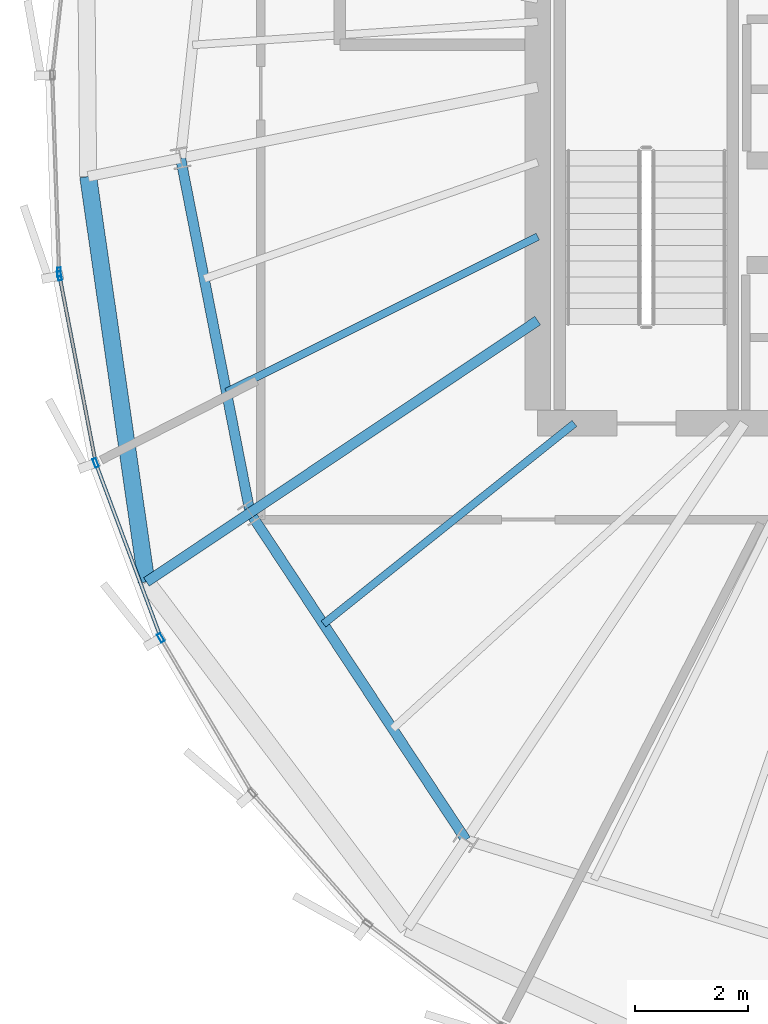
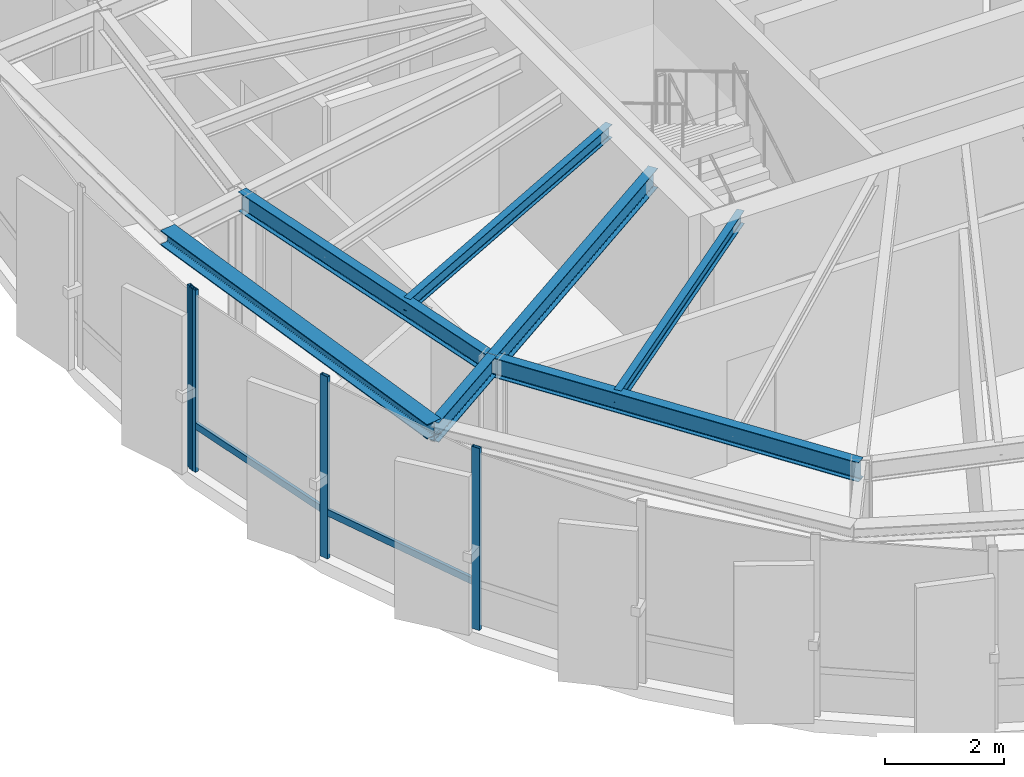
# One storey, part 4 of 26: 7 beams, 6 members, 2 elements without a shape of their own.
"""IFC4 building model written with IfcOpenShell, lengths in metres."""

from ifc_helpers import new_model, si_unit, direction, frame, origin, origin_2d, place, context, subcontext, project, spatial, hollow_rectangle, i_section, extrude, source, transform, mapped, material, layer, layer_set, material_profile, profile_set, type_object, element, aggregate, save


model = new_model("IFC4")

# Units and contexts
model_context = context("Model", 3, precision=1e-05, world=origin(), true_north=direction((0.0, 1.0)))
body_context = subcontext(model_context, "Body", "Model", "MODEL_VIEW")
ifc_project = project(units=[si_unit("LENGTHUNIT", "METRE"), si_unit("AREAUNIT", "SQUARE_METRE"), si_unit("VOLUMEUNIT", "CUBIC_METRE"), si_unit("PLANEANGLEUNIT", "RADIAN"), si_unit("MASSUNIT", "GRAM", prefix="KILO"), si_unit("THERMODYNAMICTEMPERATUREUNIT", "KELVIN")], contexts=[model_context])

# Site, building, storey
site_placement = place(None, origin())
site = spatial("IfcSite", under=ifc_project, at=site_placement, CompositionType="ELEMENT")
building_placement = place(site_placement, origin())
building = spatial("IfcBuilding", under=site, at=building_placement, Name="Kethvar Cultural Tower", CompositionType="ELEMENT")
storey_placement = place(building_placement, frame((0.0, 0.0, 320.300048828125)))
storey = spatial("IfcBuildingStorey", under=building, at=storey_placement, Name="L85", CompositionType="ELEMENT", Elevation=320.300048828125)

# Beams
ifc_material_1 = material(Name="Steel S355J2", Category="steel")
ifc_material_profile_1 = material_profile(ifc_material_1, i_section(OverallWidth=0.135009765625, OverallDepth=0.27001953125, WebThickness=0.006591796875, FlangeThickness=0.01025390625, FilletRadius=0.014892578125, at=origin_2d()), Name="Steel S355J2 — IPE270")
ifc_profile_set_1 = profile_set([ifc_material_profile_1], Name="Steel S355J2 — IPE270")
beam_type_1 = type_object("IfcBeamType", Name="BM-J270", PredefinedType="JOIST", material=ifc_profile_set_1)
shared_shape_1 = source(origin(), body_context, "Body", "SweptSolid", [
    extrude(i_section(OverallWidth=0.135009765625, OverallDepth=0.27001953125, WebThickness=0.006591796875, FlangeThickness=0.01025390625, FilletRadius=0.014892578125, at=origin_2d()), origin(), (0.0, 0.0, 1.0), 6.154052734375),
])
beam_1_placement = place(storey_placement, frame((38.0, 23.40380859375, 3.597900390625), z_axis=(-0.89458581954, -0.446896197655, 0.0), x_axis=(0.446896197655, -0.89458581954, 0.0)))
element("IfcBeam", 1, at=beam_1_placement, inside=storey, type_object=beam_type_1, Name="L85 Composite Floor Joist J-09B", PredefinedType="JOIST", context=body_context, shape_type="MappedRepresentation", body=[
    mapped(shared_shape_1, transform((0.0, 0.0, 0.0), scale=1.0)),
])
shared_shape_2 = source(origin(), body_context, "Body", "SweptSolid", [
    extrude(i_section(OverallWidth=0.135009765625, OverallDepth=0.27001953125, WebThickness=0.006591796875, FlangeThickness=0.01025390625, FilletRadius=0.014892578125, at=origin_2d()), origin(), (0.0, 0.0, 1.0), 5.68212890625),
])
beam_2_placement = place(storey_placement, frame((38.64990234375, 20.10009765625, 3.597900390625), z_axis=(-0.781157957733, -0.624333440615, 0.0), x_axis=(0.624333440615, -0.781157957733, 0.0)))
element("IfcBeam", 2, at=beam_2_placement, inside=storey, type_object=beam_type_1, Name="L85 Composite Floor Joist J-10A", PredefinedType="JOIST", context=body_context, shape_type="MappedRepresentation", body=[
    mapped(shared_shape_2, transform((0.0, 0.0, 0.0), scale=1.0)),
])
ifc_material_profile_2 = material_profile(ifc_material_1, i_section(OverallWidth=0.179931640625, OverallDepth=0.39990234375, WebThickness=0.008544921875, FlangeThickness=0.013427734375, FilletRadius=0.02099609375, at=origin_2d()), Name="Steel S355J2 — IPE400")
ifc_profile_set_2 = profile_set([ifc_material_profile_2], Name="Steel S355J2 — IPE400")
beam_type_2 = type_object("IfcBeamType", Name="BM-IPE400", PredefinedType="BEAM", material=ifc_profile_set_2)
shared_shape_3 = source(origin(), body_context, "Body", "SweptSolid", [
    extrude(i_section(OverallWidth=0.179931640625, OverallDepth=0.39990234375, WebThickness=0.008544921875, FlangeThickness=0.013427734375, FilletRadius=0.02099609375, at=origin_2d()), origin(), (0.0, 0.0, 1.0), 6.118408203125),
])
beam_3_placement = place(storey_placement, frame((38.0, 21.920166015625, 3.532958984375), z_axis=(-0.831466631282, -0.555574694406, 0.0), x_axis=(0.555574694406, -0.831466631282, 0.0)))
element("IfcBeam", 3, at=beam_3_placement, inside=storey, type_object=beam_type_2, Name="L85 Primary Radial Beam RB-10", PredefinedType="BEAM", context=body_context, shape_type="MappedRepresentation", body=[
    mapped(shared_shape_3, transform((0.0, 0.0, 0.0), scale=1.0)),
])
shared_shape_4 = source(origin(), body_context, "Body", "SweptSolid", [
    extrude(i_section(OverallWidth=0.179931640625, OverallDepth=0.39990234375, WebThickness=0.008544921875, FlangeThickness=0.013427734375, FilletRadius=0.02099609375, at=origin_2d()), origin(), (0.0, 0.0, 1.0), 6.391357421875),
])
beam_4_placement = place(storey_placement, frame((31.68310546875, 24.79296875, 3.532958984375), z_axis=(0.192405084368, -0.981315588131, 0.0), x_axis=(0.981315588131, 0.192405084368, 0.0)))
element("IfcBeam", 4, at=beam_4_placement, inside=storey, type_object=beam_type_2, Name="L85 Column Ring Tie Beam CR-09", PredefinedType="BEAM", context=body_context, shape_type="MappedRepresentation", body=[
    mapped(shared_shape_4, transform((0.0, 0.0, 0.0), scale=1.0)),
])
shared_shape_5 = source(origin(), body_context, "Body", "SweptSolid", [
    extrude(i_section(OverallWidth=0.179931640625, OverallDepth=0.39990234375, WebThickness=0.008544921875, FlangeThickness=0.013427734375, FilletRadius=0.02099609375, at=origin_2d()), origin(), (0.0, 0.0, 1.0), 6.935791015625),
])
beam_5_placement = place(storey_placement, frame((32.912841796875, 18.52099609375, 3.532958984375), z_axis=(0.550534204139, -0.834812607759, 0.0), x_axis=(0.834812607759, 0.550534204139, 0.0)))
element("IfcBeam", 5, at=beam_5_placement, inside=storey, type_object=beam_type_2, Name="L85 Column Ring Tie Beam CR-10", PredefinedType="BEAM", context=body_context, shape_type="MappedRepresentation", body=[
    mapped(shared_shape_5, transform((0.0, 0.0, 0.0), scale=1.0)),
])
shared_shape_6 = source(origin(), body_context, "Body", "SweptSolid", [
    extrude(i_section(OverallWidth=0.179931640625, OverallDepth=0.39990234375, WebThickness=0.008544921875, FlangeThickness=0.013427734375, FilletRadius=0.02099609375, at=origin_2d()), origin(), (0.0, 0.0, 1.0), 2.204345703125),
])
beam_6_placement = place(storey_placement, frame((32.912841796875, 18.52099609375, 3.532958984375), z_axis=(-0.831470483876, -0.555568928616, 0.0), x_axis=(0.555568928616, -0.831470483876, 0.0)))
element("IfcBeam", 6, at=beam_6_placement, inside=storey, type_object=beam_type_2, Name="L85 Perimeter Cantilever Beam RC-10", PredefinedType="BEAM", context=body_context, shape_type="MappedRepresentation", body=[
    mapped(shared_shape_6, transform((0.0, 0.0, 0.0), scale=1.0)),
])
ifc_material_profile_3 = material_profile(ifc_material_1, i_section(OverallWidth=0.300048828125, OverallDepth=0.300048828125, WebThickness=0.010986328125, FlangeThickness=0.01904296875, FilletRadius=0.027099609375, at=origin_2d()), Name="Steel S355J2 — HEB300")
ifc_profile_set_3 = profile_set([ifc_material_profile_3], Name="Steel S355J2 — HEB300")
beam_type_3 = type_object("IfcBeamType", Name="BM-SP300", PredefinedType="SPANDREL", material=ifc_profile_set_3)
shared_shape_7 = source(origin(), body_context, "Body", "SweptSolid", [
    extrude(i_section(OverallWidth=0.300048828125, OverallDepth=0.300048828125, WebThickness=0.010986328125, FlangeThickness=0.01904296875, FilletRadius=0.027099609375, at=origin_2d()), origin(), (0.0, 0.0, 1.0), 7.245361328125),
])
beam_7_placement = place(storey_placement, frame((30.048095703125, 24.4677734375, 3.5830078125), z_axis=(0.142435549824, -0.989804078667, 0.0), x_axis=(0.989804078667, 0.142435549824, 0.0)))
element("IfcBeam", 7, at=beam_7_placement, inside=storey, type_object=beam_type_3, Name="L85 Perimeter Spandrel Beam SP-09", PredefinedType="SPANDREL", context=body_context, shape_type="MappedRepresentation", body=[
    mapped(shared_shape_7, transform((0.0, 0.0, 0.0), scale=1.0)),
])

# Curtain wall, member
ifc_material_2 = material(Name="Aluminium 6063-T6", Category="aluminium")
ifc_layer = layer(ifc_material_2, 0.179931640625, Name="Aluminium 6063-T6", Category="aluminium")
ifc_layer_set = layer_set([ifc_layer], Name="Aluminium 6063-T6 (180 mm)")
curtain_wall_type = type_object("IfcCurtainWallType", Name="CW-SYS-06-CROWN", PredefinedType="NOTDEFINED", material=ifc_layer_set)
curtain_wall_1_placement = place(storey_placement, origin())
curtain_wall_1 = element("IfcCurtainWall", 8, at=curtain_wall_1_placement, inside=storey, type_object=curtain_wall_type, Name="L85 Curtain Wall Run 02", PredefinedType="NOTDEFINED")
ifc_material_profile_4 = material_profile(ifc_material_2, hollow_rectangle(XDim=0.06494140625, YDim=0.159912109375, WallThickness=0.0048828125, at=origin_2d()), Name="Aluminium 6063-T6 — RHS160x65x5")
ifc_profile_set_4 = profile_set([ifc_material_profile_4], Name="Aluminium 6063-T6 — RHS160x65x5")
member_type_1 = type_object("IfcMemberType", Name="CW-SYS-06-CROWN-MUL", PredefinedType="MULLION", material=ifc_profile_set_4)
shared_shape_8 = source(origin(), body_context, "Body", "SweptSolid", [
    extrude(hollow_rectangle(XDim=0.06494140625, YDim=0.159912109375, WallThickness=0.0048828125, at=origin_2d()), origin(), (0.0, 0.0, 1.0), 3.73486328125),
])
member_1_placement = place(storey_placement, frame((29.533935546875, 22.77734375, 0.0), z_axis=(0.0, 0.0, 1.0), x_axis=(0.99937858391, 0.035248347778, 0.0)))
member_1 = element("IfcMember", 9, at=member_1_placement, type_object=member_type_1, Name="CW-L85-R02 Mullion 7", PredefinedType="MULLION", context=body_context, shape_type="MappedRepresentation", body=[
    mapped(shared_shape_8, transform((0.0, 0.0, 0.0), scale=1.0)),
])
aggregate(curtain_wall_1, [member_1])

# Curtain wall, members
curtain_wall_2_placement = place(storey_placement, origin())
curtain_wall_2 = element("IfcCurtainWall", 10, at=curtain_wall_2_placement, inside=storey, type_object=curtain_wall_type, Name="L85 Curtain Wall Run 03", PredefinedType="NOTDEFINED")
member_2_placement = place(storey_placement, frame((29.54150390625, 22.712158203125, 0.0), z_axis=(0.0, 0.0, 1.0), x_axis=(0.981770107534, 0.190072238776, 0.0)))
member_2 = element("IfcMember", 11, at=member_2_placement, type_object=member_type_1, Name="CW-L85-R03 Mullion 1", PredefinedType="MULLION", context=body_context, shape_type="MappedRepresentation", body=[
    mapped(shared_shape_8, transform((0.0, 0.0, 0.0), scale=1.0)),
])
member_3_placement = place(storey_placement, frame((30.1806640625, 19.402099609375, 0.0), z_axis=(0.0, 0.0, 1.0), x_axis=(0.937020125174, 0.349275371331, 0.0)))
member_3 = element("IfcMember", 12, at=member_3_placement, type_object=member_type_1, Name="CW-L85-R03 Mullion 2", PredefinedType="MULLION", context=body_context, shape_type="MappedRepresentation", body=[
    mapped(shared_shape_8, transform((0.0, 0.0, 0.0), scale=1.0)),
])
member_4_placement = place(storey_placement, frame((31.33251953125, 16.306884765625, 0.0), z_axis=(0.0, 0.0, 1.0), x_axis=(0.860759795377, 0.509011369875, 0.0)))
member_4 = element("IfcMember", 13, at=member_4_placement, type_object=member_type_1, Name="CW-L85-R03 Mullion 3", PredefinedType="MULLION", context=body_context, shape_type="MappedRepresentation", body=[
    mapped(shared_shape_8, transform((0.0, 0.0, 0.0), scale=1.0)),
])
ifc_material_profile_5 = material_profile(ifc_material_2, hollow_rectangle(XDim=0.06005859375, YDim=0.139892578125, WallThickness=0.0048828125, at=origin_2d()), Name="Aluminium 6063-T6 — RHS140x60x5")
ifc_profile_set_5 = profile_set([ifc_material_profile_5], Name="Aluminium 6063-T6 — RHS140x60x5")
member_type_2 = type_object("IfcMemberType", Name="CW-SYS-06-CROWN-TRN", PredefinedType="USERDEFINED", material=ifc_profile_set_5)
shared_shape_9 = source(origin(), body_context, "Body", "SweptSolid", [
    extrude(hollow_rectangle(XDim=0.06005859375, YDim=0.139892578125, WallThickness=0.0048828125, at=origin_2d()), origin(), (0.0, 0.0, 1.0), 3.339599609375),
])
member_5_placement = place(storey_placement, frame((29.542236328125, 22.707763671875, 0.949951171875), z_axis=(0.190067366499, -0.981771050802, 0.0), x_axis=(0.981771050802, 0.190067366499, 0.0)))
member_5 = element("IfcMember", 14, at=member_5_placement, type_object=member_type_2, Name="CW-L85-R03 Transom 1", ObjectType="TRANSOM", PredefinedType="USERDEFINED", context=body_context, shape_type="MappedRepresentation", body=[
    mapped(shared_shape_9, transform((0.0, 0.0, 0.0), scale=1.0)),
])
shared_shape_10 = source(origin(), body_context, "Body", "SweptSolid", [
    extrude(hollow_rectangle(XDim=0.06005859375, YDim=0.139892578125, WallThickness=0.0048828125, at=origin_2d()), origin(), (0.0, 0.0, 1.0), 3.22998046875),
])
member_6_placement = place(storey_placement, frame((30.197021484375, 19.358154296875, 0.949951171875), z_axis=(0.349275599387, -0.937020040166, 0.0), x_axis=(0.937020040166, 0.349275599387, 0.0)))
member_6 = element("IfcMember", 15, at=member_6_placement, type_object=member_type_2, Name="CW-L85-R03 Transom 2", ObjectType="TRANSOM", PredefinedType="USERDEFINED", context=body_context, shape_type="MappedRepresentation", body=[
    mapped(shared_shape_10, transform((0.0, 0.0, 0.0), scale=1.0)),
])
aggregate(curtain_wall_2, [member_2, member_3, member_4, member_5, member_6])

save(model, "model.ifc")
